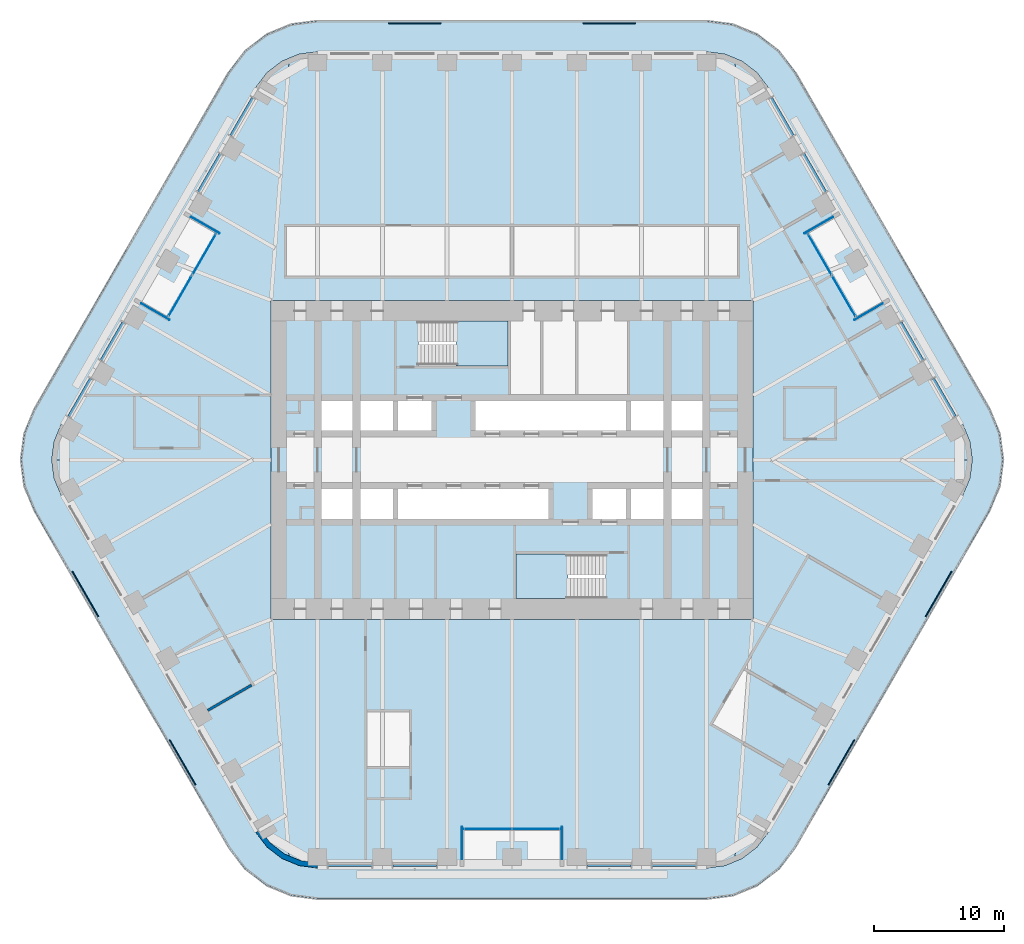
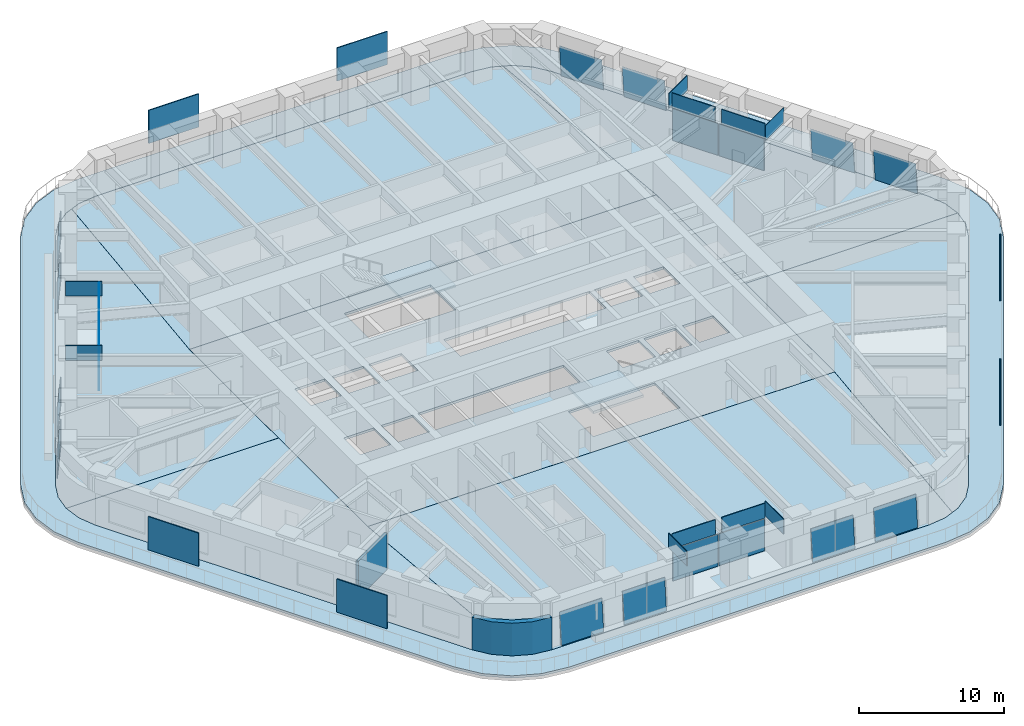
# One storey, part 16 of 24: 36 plates, 10 slabs, 2 walls, 17 elements without a shape of their own.
"""IFC4 building model written with IfcOpenShell, lengths in metres."""

import ifcopenshell
import ifcopenshell.guid

model = None  # the IFC model being written
_history = None  # IfcOwnerHistory: only IFC2X3 demands one
_inside = {}  # id of a spatial element -> (the spatial element, [elements in it])
_under = {}  # id of a project, library or spatial element -> (it, [spatial elements below it])
_declared = {}  # id of a project -> (the project, [libraries it declares])
_typed = {}  # id of a type object -> (the type object, [elements of that type])
_made_of = {}  # id of a material, layer set ... -> (it, [elements and type objects made of it])


def new_model(schema):
    """Start an empty IFC model of exactly this schema.

    Asked for "IFC4X3", IfcOpenShell would pick the latest addendum, in which some entities
    have other attributes; the version numbers below select the first issue.
    IFC2X3 requires an IfcOwnerHistory on every rooted entity: one is made here for all.
    """
    global model, _history
    if schema == "IFC4X3":
        model = ifcopenshell.file(schema_version=(4, 3, 0, 0))
    else:
        model = ifcopenshell.file(schema=schema)
    _inside.clear()
    _under.clear()
    _declared.clear()
    _typed.clear()
    _made_of.clear()
    _history = None
    if model.schema == "IFC2X3":
        org = make("IfcOrganization", Name="unknown")
        user = make(
            "IfcPersonAndOrganization",
            ThePerson=make("IfcPerson", FamilyName="unknown"),
            TheOrganization=org,
        )
        app = make(
            "IfcApplication",
            ApplicationDeveloper=org,
            Version="unknown",
            ApplicationFullName="unknown",
            ApplicationIdentifier="unknown",
        )
        _history = make(
            "IfcOwnerHistory",
            OwningUser=user,
            OwningApplication=app,
            ChangeAction="ADDED",
            CreationDate=0,
        )
    return model


def make(cls, **values):
    """One entity of the class cls with the attributes given. An attribute that is None is left unset."""
    return model.create_entity(
        cls, **{name: value for name, value in values.items() if value is not None}
    )


def rooted(cls, **values):
    """An entity with a GlobalId (a new one), such as an element, a storey or a relation."""
    return make(cls, GlobalId=ifcopenshell.guid.new(), OwnerHistory=_history, **values)


def si_unit(unit_type, name, prefix=None):
    """IfcSIUnit, for example si_unit("LENGTHUNIT", "METRE", prefix="MILLI")."""
    return make("IfcSIUnit", UnitType=unit_type, Prefix=prefix, Name=name)


def assignment(units):
    """IfcUnitAssignment: the units of a project."""
    return None if units is None else make("IfcUnitAssignment", Units=units)


def point(xyz):
    """IfcCartesianPoint."""
    return None if xyz is None else make("IfcCartesianPoint", Coordinates=xyz)


def direction(xyz):
    """IfcDirection."""
    return None if xyz is None else make("IfcDirection", DirectionRatios=xyz)


def frame(location, z_axis=None, x_axis=None):
    """IfcAxis2Placement3D, a coordinate frame: its origin and axes. An axis left out is left unset."""
    return make(
        "IfcAxis2Placement3D",
        Location=point(location),
        Axis=direction(z_axis),
        RefDirection=direction(x_axis),
    )


def frame_2d(location, x_axis=None):
    """IfcAxis2Placement2D, a coordinate frame in the plane: its origin and x axis."""
    return make(
        "IfcAxis2Placement2D", Location=point(location), RefDirection=direction(x_axis)
    )


def origin():
    """The frame at (0, 0, 0) with its axes left unset."""
    return frame((0.0, 0.0, 0.0))


def origin_2d():
    """The frame at (0, 0) in the plane with its x axis left unset."""
    return frame_2d((0.0, 0.0))


def place(relative_to, where):
    """IfcLocalPlacement: puts the frame where relative to a parent placement (None: the world)."""
    return make(
        "IfcLocalPlacement", PlacementRelTo=relative_to, RelativePlacement=where
    )


def context(
    kind, dimensions, precision=None, world=None, true_north=None, identifier=None
):
    """IfcGeometricRepresentationContext, for example the 3D "Model" context."""
    return make(
        "IfcGeometricRepresentationContext",
        ContextIdentifier=identifier,
        ContextType=kind,
        CoordinateSpaceDimension=dimensions,
        Precision=precision,
        WorldCoordinateSystem=world,
        TrueNorth=true_north,
    )


def subcontext(parent, identifier, kind, view, scale=None):
    """IfcGeometricRepresentationSubContext, for example "Body" below "Model"."""
    return make(
        "IfcGeometricRepresentationSubContext",
        ContextIdentifier=identifier,
        ContextType=kind,
        ParentContext=parent,
        TargetScale=scale,
        TargetView=view,
    )


def project(units=None, contexts=None):
    """IfcProject with its units and contexts."""
    return rooted(
        "IfcProject",
        Name="project",
        RepresentationContexts=contexts,
        UnitsInContext=assignment(units),
    )


def spatial(cls, under=None, at=None, **own):
    """A site, building, storey or space (cls), placed at a placement, below another one or the project."""
    s = rooted(cls, ObjectPlacement=at, **own)
    if under is not None:
        _under.setdefault(under.id(), (under, []))[1].append(s)
    return s


def polyline(points):
    """IfcPolyline through the points."""
    return make("IfcPolyline", Points=[point(p) for p in points])


def profile(cls, at=None, kind="AREA", **sizes):
    """A parametric profile (cls). Its sizes go by their IFC names, for example OverallWidth=200.0."""
    return make(cls, ProfileType=kind, Position=at, **sizes)


def rectangle(**sizes):
    """IfcRectangleProfileDef."""
    return profile("IfcRectangleProfileDef", **sizes)


def outline(outer, holes=None, kind="AREA"):
    """IfcArbitraryClosedProfileDef: a profile drawn as a closed curve; with holes, ...WithVoids."""
    if holes is None:
        return make("IfcArbitraryClosedProfileDef", ProfileType=kind, OuterCurve=outer)
    return make(
        "IfcArbitraryProfileDefWithVoids",
        ProfileType=kind,
        OuterCurve=outer,
        InnerCurves=holes,
    )


def extrude(swept, where, along, depth):
    """IfcExtrudedAreaSolid: the profile swept, set in the frame where, extruded along a direction by depth."""
    return make(
        "IfcExtrudedAreaSolid",
        SweptArea=swept,
        Position=where,
        ExtrudedDirection=direction(along),
        Depth=depth,
    )


def shape(context_of_items, identifier, shape_type, items):
    """IfcShapeRepresentation: the items that make up one representation, for example the "Body"."""
    return make(
        "IfcShapeRepresentation",
        ContextOfItems=context_of_items,
        RepresentationIdentifier=identifier,
        RepresentationType=shape_type,
        Items=items,
    )


def material(Name=None, Category=None):
    """IfcMaterial."""
    return make("IfcMaterial", Name=Name, Category=Category)


def layer(
    of_material, thickness, ventilated=None, Name=None, Category=None, Priority=None
):
    """IfcMaterialLayer: one layer of a wall or slab, of a material (None: an air gap)."""
    return make(
        "IfcMaterialLayer",
        Material=of_material,
        LayerThickness=thickness,
        IsVentilated=ventilated,
        Name=Name,
        Category=Category,
        Priority=Priority,
    )


def layer_set(layers, Name=None):
    """IfcMaterialLayerSet."""
    return make("IfcMaterialLayerSet", MaterialLayers=layers, LayerSetName=Name)


def made_of(thing, what):
    """Note that an element or type object is made of a material, layer set ...; save() writes the relation."""
    if what is not None:
        _made_of.setdefault(what.id(), (what, []))[1].append(thing)
    return thing


def type_object(cls, material=None, **own):
    """A type object (cls), such as IfcWallType, which elements share."""
    return made_of(rooted(cls, **own), material)


def element(
    cls,
    number,
    at=None,
    inside=None,
    cuts=None,
    type_object=None,
    material=None,
    context=None,
    identifier="Body",
    shape_type=None,
    held_by="IfcProductDefinitionShape",
    body=None,
    shapes=None,
    **own,
):
    """One element of the class cls, such as IfcWall. Its Tag is "e" and its number.

    at: its placement. inside: the storey or other place that contains it. cuts: it is an
    opening in that element (IfcRelVoidsElement). A single representation is given by context,
    identifier, shape_type and body (its items); several are given by shapes. held_by: the class
    of the entity that holds the representations. save() writes the other relations.
    """
    e = rooted(cls, Tag="e%d" % number, ObjectPlacement=at, **own)
    if body is not None:
        shapes = [shape(context, identifier, shape_type, body)]
    if shapes is not None:
        e.Representation = make(held_by, Representations=shapes)
    if inside is not None:
        _inside.setdefault(inside.id(), (inside, []))[1].append(e)
    if cuts is not None:
        rooted(
            "IfcRelVoidsElement", RelatingBuildingElement=cuts, RelatedOpeningElement=e
        )
    if type_object is not None:
        _typed.setdefault(type_object.id(), (type_object, []))[1].append(e)
    return made_of(e, material)


def aggregate(whole, parts):
    """IfcRelAggregates: a whole, such as a stair, and the parts it consists of."""
    return rooted("IfcRelAggregates", RelatingObject=whole, RelatedObjects=parts)


def save(model, path):
    """Write the relations noted so far, then the file.

    IfcRelAggregates (storeys below a building ...), IfcRelContainedInSpatialStructure (elements
    in a storey), IfcRelDefinesByType, IfcRelAssociatesMaterial and IfcRelDeclares: one each for
    every whole, place, type object, material and project.
    """
    for whole, parts in _under.values():
        aggregate(whole, parts)
    for where, things in _inside.values():
        rooted(
            "IfcRelContainedInSpatialStructure",
            RelatedElements=things,
            RelatingStructure=where,
        )
    for kind, things in _typed.values():
        rooted("IfcRelDefinesByType", RelatedObjects=things, RelatingType=kind)
    for what, things in _made_of.values():
        rooted("IfcRelAssociatesMaterial", RelatedObjects=things, RelatingMaterial=what)
    for by, libraries in _declared.values():
        rooted("IfcRelDeclares", RelatingContext=by, RelatedDefinitions=libraries)
    model.write(path)


model = new_model("IFC4")

# Units and contexts
model_context = context("Model", 3, precision=1e-05, world=origin(), true_north=direction((0.0, 1.0)))
body_context = subcontext(model_context, "Body", "Model", "MODEL_VIEW")
ifc_project = project(units=[si_unit("LENGTHUNIT", "METRE"), si_unit("AREAUNIT", "SQUARE_METRE"), si_unit("VOLUMEUNIT", "CUBIC_METRE"), si_unit("PLANEANGLEUNIT", "RADIAN"), si_unit("MASSUNIT", "GRAM", prefix="KILO")], contexts=[model_context])

# Site, building, storey
site_placement = place(None, origin())
site = spatial("IfcSite", under=ifc_project, at=site_placement, CompositionType="ELEMENT")
building_placement = place(site_placement, origin())
building = spatial("IfcBuilding", under=site, at=building_placement, Name="Tarfa Lantern Tower", CompositionType="ELEMENT")
storey_placement = place(building_placement, frame((0.0, 0.0, 186.699951171875)))
storey = spatial("IfcBuildingStorey", under=building, at=storey_placement, Name="L42", CompositionType="ELEMENT", Elevation=186.699951171875)

# Slab
ifc_material_1 = material(Name="Concrete C40/50", Category="concrete")
ifc_layer_1 = layer(ifc_material_1, 0.199951171875)
ifc_layer_set_1 = layer_set([ifc_layer_1], Name="BS2 BALCONY SLAB 200")
slab_type_1 = type_object("IfcSlabType", Name="BS2 BALCONY SLAB 200", PredefinedType="FLOOR", material=ifc_layer_set_1)
slab_1_placement = place(storey_placement, frame((0.0, 0.0, -0.199951171875)))
element("IfcSlab", 1, at=slab_1_placement, inside=storey, type_object=slab_type_1, Name="Balcony L42", PredefinedType="FLOOR", context=body_context, shape_type="SweptSolid", body=[
    extrude(outline(polyline([(36.86376953125, 3.949951171875), (21.852783203125, 29.949951171875), (20.59716796875, 31.586181640625), (18.961181640625, 32.841552734375), (17.0556640625, 33.630859375), (15.010986328125, 33.89990234375), (-15.010986328125, 33.89990234375), (-17.0556640625, 33.630859375), (-18.961181640625, 32.841552734375), (-20.59716796875, 31.586181640625), (-21.852783203125, 29.949951171875), (-36.86376953125, 3.949951171875), (-37.653076171875, 2.044677734375), (-37.922119140625, 0.0), (-37.653076171875, -2.044677734375), (-36.86376953125, -3.949951171875), (-21.852783203125, -29.949951171875), (-20.59716796875, -31.586181640625), (-18.961181640625, -32.841552734375), (-17.0556640625, -33.630859375), (-15.010986328125, -33.89990234375), (15.010986328125, -33.89990234375), (17.0556640625, -33.630859375), (18.961181640625, -32.841552734375), (20.59716796875, -31.586181640625), (21.852783203125, -29.949951171875), (36.86376953125, -3.949951171875), (37.653076171875, -2.044677734375), (37.922119140625, 0.0), (37.653076171875, 2.044677734375), (36.86376953125, 3.949951171875)]), holes=[polyline([(34.785400390625, 2.75), (19.774169921875, 28.75), (18.900146484375, 29.88916015625), (17.760986328125, 30.76318359375), (16.4345703125, 31.3125), (15.010986328125, 31.5), (-15.010986328125, 31.5), (-16.4345703125, 31.3125), (-17.760986328125, 30.76318359375), (-18.900146484375, 29.88916015625), (-19.774169921875, 28.75), (-34.785400390625, 2.75), (-35.334716796875, 1.423583984375), (-35.522216796875, 0.0), (-35.334716796875, -1.423583984375), (-34.785400390625, -2.75), (-19.774169921875, -28.75), (-18.900146484375, -29.88916015625), (-17.760986328125, -30.76318359375), (-16.4345703125, -31.3125), (-15.010986328125, -31.5), (15.010986328125, -31.5), (16.4345703125, -31.3125), (17.760986328125, -30.76318359375), (18.900146484375, -29.88916015625), (19.774169921875, -28.75), (34.785400390625, -2.75), (35.334716796875, -1.423583984375), (35.522216796875, 0.0), (35.334716796875, 1.423583984375), (34.785400390625, 2.75)])]), origin(), (0.0, 0.0, 1.0), 0.199951171875),
])

# Curtain wall, plate
ifc_material_2 = material(Name="Aluminium framed curtain wall", Category="aluminium")
curtain_wall_type_1 = type_object("IfcCurtainWallType", Name="CW2 CANTED GLAZING MID ZONE 2750", PredefinedType="USERDEFINED", material=ifc_material_2)
curtain_wall_1_placement = place(storey_placement, origin())
curtain_wall_1 = element("IfcCurtainWall", 2, at=curtain_wall_1_placement, inside=storey, type_object=curtain_wall_type_1, Name="CW2 NE L42", ObjectType="CURTAIN WALL", PredefinedType="USERDEFINED")
ifc_material_3 = material(Name="Laminated double glazing", Category="glass")
ifc_layer_2 = layer(ifc_material_3, 0.028076171875)
ifc_layer_set_2 = layer_set([ifc_layer_2], Name="CWP1 DOUBLE GLAZED PANEL")
plate_type_1 = type_object("IfcPlateType", Name="CWP1 DOUBLE GLAZED PANEL", PredefinedType="CURTAIN_PANEL", material=ifc_layer_set_2)
plate_1_placement = place(storey_placement, frame((34.291259765625, 3.40576171875, 0.0), z_axis=(0.862490403653, 0.497906600839, 0.090550099107), x_axis=(-0.499960487749, 0.866048214992, 0.0)))
plate_1 = element("IfcPlate", 3, at=plate_1_placement, type_object=plate_type_1, Name="CW2 panel 1.1", PredefinedType="CURTAIN_PANEL", context=body_context, shape_type="SweptSolid", body=[
    extrude(outline(polyline([(0.0, 0.0), (3.373801769256558, 0.0), (3.373787529728875, 2.6961345800680987), (-1.4239527682619046e-05, 2.6961345800680987), (0.0, 0.0)])), origin(), (0.0, 0.0, -1.0), 0.028076171875),
])
aggregate(curtain_wall_1, [plate_1])

curtain_wall_2_placement = place(storey_placement, origin())
curtain_wall_2 = element("IfcCurtainWall", 4, at=curtain_wall_2_placement, inside=storey, type_object=curtain_wall_type_1, Name="CW2 NE L42", ObjectType="CURTAIN WALL", PredefinedType="USERDEFINED")
plate_2_placement = place(storey_placement, frame((31.789306640625, 7.7392578125, 0.0), z_axis=(0.86245984588, 0.497966600243, 0.090511210832), x_axis=(-0.500018737427, 0.866014585451, -2.824613e-06)))
plate_2 = element("IfcPlate", 5, at=plate_2_placement, type_object=plate_type_1, Name="CW2 panel 1.1", PredefinedType="CURTAIN_PANEL", context=body_context, shape_type="SweptSolid", body=[
    extrude(outline(polyline([(0.0, 0.0), (3.3735903322694574, -2.7755575615628914e-17), (3.373584929142382, 2.6961345780447465), (-0.00012747801414286628, 2.696115440975584), (0.0, 0.0)])), origin(), (0.0, 0.0, -1.0), 0.028076171875),
])
aggregate(curtain_wall_2, [plate_2])

curtain_wall_3_placement = place(storey_placement, origin())
curtain_wall_3 = element("IfcCurtainWall", 6, at=curtain_wall_3_placement, inside=storey, type_object=curtain_wall_type_1, Name="CW2 NEB L42", ObjectType="CURTAIN WALL", PredefinedType="USERDEFINED")
plate_3_placement = place(storey_placement, frame((24.283935546875, 20.7392578125, 0.0), z_axis=(0.862441180369, 0.497991857304, 0.090550099186), x_axis=(-0.500046095904, 0.865998788666, 0.0)))
plate_3 = element("IfcPlate", 7, at=plate_3_placement, type_object=plate_type_1, Name="CW2 panel 1.1", PredefinedType="CURTAIN_PANEL", context=body_context, shape_type="SweptSolid", body=[
    extrude(outline(polyline([(0.0, 0.0), (3.373712408853507, 2.7755575615628914e-17), (3.373722302583923, 2.696134580087549), (9.893730415961136e-06, 2.696134580087549), (0.0, 0.0)])), origin(), (0.0, 0.0, -1.0), 0.028076171875),
])
aggregate(curtain_wall_3, [plate_3])

curtain_wall_4_placement = place(storey_placement, origin())
curtain_wall_4 = element("IfcCurtainWall", 8, at=curtain_wall_4_placement, inside=storey, type_object=curtain_wall_type_1, Name="CW2 NEB L42", ObjectType="CURTAIN WALL", PredefinedType="USERDEFINED")
plate_4_placement = place(storey_placement, frame((21.781982421875, 25.072509765625, 0.0), z_axis=(0.862472388202, 0.497937806475, 0.090550099238), x_axis=(-0.499991822116, 0.866030125237, 0.0)))
plate_4 = element("IfcPlate", 9, at=plate_4_placement, type_object=plate_type_1, Name="CW2 panel 1.1", PredefinedType="CURTAIN_PANEL", context=body_context, shape_type="SweptSolid", body=[
    extrude(outline(polyline([(0.0, 0.0), (3.3735903339122224, 2.7755575615628914e-17), (3.3735849274996186, 2.6961345801002814), (-5.40641260378432e-06, 2.6961345801002814), (0.0, 0.0)])), origin(), (0.0, 0.0, -1.0), 0.028076171875),
])
aggregate(curtain_wall_4, [plate_4])

# Curtain wall, plates
curtain_wall_type_2 = type_object("IfcCurtainWallType", Name="CW10 LOGGIA GLAZING 2750", PredefinedType="USERDEFINED", material=ifc_material_2)
curtain_wall_5_placement = place(storey_placement, origin())
curtain_wall_5 = element("IfcCurtainWall", 10, at=curtain_wall_5_placement, inside=storey, type_object=curtain_wall_type_2, Name="CW10 NEL L42", ObjectType="CURTAIN WALL", PredefinedType="USERDEFINED")
plate_5_placement = place(storey_placement, frame((25.599609375, 12.660400390625, 0.0), z_axis=(0.0, 0.0, 1.0), x_axis=(-0.5, 0.866025403784, 0.0)))
plate_5 = element("IfcPlate", 11, at=plate_5_placement, type_object=plate_type_1, Name="CW10 panel 1.1", PredefinedType="CURTAIN_PANEL", context=body_context, shape_type="SweptSolid", body=[
    extrude(rectangle(XDim=3.606201171875, YDim=0.028076171875, at=origin_2d()), origin(), (0.0, 0.0, 1.0), 2.68505859375),
])
plate_6_placement = place(storey_placement, frame((23.763916015625, 15.839599609375, 0.0), z_axis=(0.0, 0.0, 1.0), x_axis=(-0.5, 0.866025403784, 0.0)))
plate_6 = element("IfcPlate", 12, at=plate_6_placement, type_object=plate_type_1, Name="CW10 panel 2.1", PredefinedType="CURTAIN_PANEL", context=body_context, shape_type="SweptSolid", body=[
    extrude(rectangle(XDim=3.606201171875, YDim=0.028076171875, at=origin_2d()), origin(), (0.0, 0.0, 1.0), 2.68505859375),
])
aggregate(curtain_wall_5, [plate_5, plate_6])

# Curtain wall, plate
curtain_wall_6_placement = place(storey_placement, origin())
curtain_wall_6 = element("IfcCurtainWall", 13, at=curtain_wall_6_placement, inside=storey, type_object=curtain_wall_type_1, Name="CW2 NW L42", ObjectType="CURTAIN WALL", PredefinedType="USERDEFINED")
plate_7_placement = place(storey_placement, frame((-20.09521484375, 27.994140625, 0.0), z_axis=(-0.862472388202, 0.497937806475, 0.090550099238), x_axis=(-0.499991822116, -0.866030125237, 0.0)))
plate_7 = element("IfcPlate", 14, at=plate_7_placement, type_object=plate_type_1, Name="CW2 panel 1.1", PredefinedType="CURTAIN_PANEL", context=body_context, shape_type="SweptSolid", body=[
    extrude(outline(polyline([(0.0, 0.0), (3.3735903339122224, -2.7755575615628914e-17), (3.3735957403248262, 2.6961345801002814), (5.40641260378432e-06, 2.6961345801002814), (0.0, 0.0)])), origin(), (0.0, 0.0, -1.0), 0.028076171875),
])
aggregate(curtain_wall_6, [plate_7])

curtain_wall_7_placement = place(storey_placement, origin())
curtain_wall_7 = element("IfcCurtainWall", 15, at=curtain_wall_7_placement, inside=storey, type_object=curtain_wall_type_1, Name="CW2 NW L42", ObjectType="CURTAIN WALL", PredefinedType="USERDEFINED")
plate_8_placement = place(storey_placement, frame((-22.596923828125, 23.660888671875, 0.0), z_axis=(-0.862441180369, 0.497991857304, 0.090550099186), x_axis=(-0.500046095904, -0.865998788666, 0.0)))
plate_8 = element("IfcPlate", 16, at=plate_8_placement, type_object=plate_type_1, Name="CW2 panel 1.1", PredefinedType="CURTAIN_PANEL", context=body_context, shape_type="SweptSolid", body=[
    extrude(outline(polyline([(0.0, 0.0), (3.373712408853507, -2.7755575615628914e-17), (3.3737025151230906, 2.696134580087549), (-9.893730415961136e-06, 2.696134580087549), (0.0, 0.0)])), origin(), (0.0, 0.0, -1.0), 0.028076171875),
])
aggregate(curtain_wall_7, [plate_8])

curtain_wall_8_placement = place(storey_placement, origin())
curtain_wall_8 = element("IfcCurtainWall", 17, at=curtain_wall_8_placement, inside=storey, type_object=curtain_wall_type_1, Name="CW2 NWB L42", ObjectType="CURTAIN WALL", PredefinedType="USERDEFINED")
plate_9_placement = place(storey_placement, frame((-30.1025390625, 10.660888671875, 0.0), z_axis=(-0.86245984588, 0.497966600243, 0.090511210832), x_axis=(-0.500018737427, -0.866014585451, 2.824613e-06)))
plate_9 = element("IfcPlate", 18, at=plate_9_placement, type_object=plate_type_1, Name="CW2 panel 1.1", PredefinedType="CURTAIN_PANEL", context=body_context, shape_type="SweptSolid", body=[
    extrude(outline(polyline([(0.0, 0.0), (3.3735903322694574, 2.7755575615628914e-17), (3.3737178102836, 2.696115440975584), (5.4031270756551335e-06, 2.6961345780447465), (0.0, 0.0)])), origin(), (0.0, 0.0, -1.0), 0.028076171875),
])
aggregate(curtain_wall_8, [plate_9])

curtain_wall_9_placement = place(storey_placement, origin())
curtain_wall_9 = element("IfcCurtainWall", 19, at=curtain_wall_9_placement, inside=storey, type_object=curtain_wall_type_1, Name="CW2 NWB L42", ObjectType="CURTAIN WALL", PredefinedType="USERDEFINED")
plate_10_placement = place(storey_placement, frame((-32.6044921875, 6.32763671875, 0.0), z_axis=(-0.862490403653, 0.497906600839, 0.090550099107), x_axis=(-0.499960487749, -0.866048214992, 0.0)))
plate_10 = element("IfcPlate", 20, at=plate_10_placement, type_object=plate_type_1, Name="CW2 panel 1.1", PredefinedType="CURTAIN_PANEL", context=body_context, shape_type="SweptSolid", body=[
    extrude(outline(polyline([(0.0, 0.0), (3.373801769256558, 0.0), (3.37381600878424, 2.6961345800680987), (1.4239527682619046e-05, 2.6961345800680987), (0.0, 0.0)])), origin(), (0.0, 0.0, -1.0), 0.028076171875),
])
aggregate(curtain_wall_9, [plate_10])

# Curtain wall, plates
curtain_wall_10_placement = place(storey_placement, origin())
curtain_wall_10 = element("IfcCurtainWall", 21, at=curtain_wall_10_placement, inside=storey, type_object=curtain_wall_type_2, Name="CW10 NWL L42", ObjectType="CURTAIN WALL", PredefinedType="USERDEFINED")
plate_11_placement = place(storey_placement, frame((-23.763916015625, 15.839599609375, 0.0), z_axis=(0.0, 0.0, 1.0), x_axis=(-0.5, -0.866025403784, 0.0)))
plate_11 = element("IfcPlate", 22, at=plate_11_placement, type_object=plate_type_1, Name="CW10 panel 1.1", PredefinedType="CURTAIN_PANEL", context=body_context, shape_type="SweptSolid", body=[
    extrude(rectangle(XDim=3.606201171875, YDim=0.028076171875, at=origin_2d()), origin(), (0.0, 0.0, 1.0), 2.68505859375),
])
plate_12_placement = place(storey_placement, frame((-25.599609375, 12.660400390625, 0.0), z_axis=(0.0, 0.0, 1.0), x_axis=(-0.5, -0.866025403784, 0.0)))
plate_12 = element("IfcPlate", 23, at=plate_12_placement, type_object=plate_type_1, Name="CW10 panel 2.1", PredefinedType="CURTAIN_PANEL", context=body_context, shape_type="SweptSolid", body=[
    extrude(rectangle(XDim=3.606201171875, YDim=0.028076171875, at=origin_2d()), origin(), (0.0, 0.0, 1.0), 2.68505859375),
])
aggregate(curtain_wall_10, [plate_11, plate_12])

# Curtain wall, plate
curtain_wall_11_placement = place(storey_placement, origin())
curtain_wall_11 = element("IfcCurtainWall", 24, at=curtain_wall_11_placement, inside=storey, type_object=curtain_wall_type_1, Name="CW2 S L42", ObjectType="CURTAIN WALL", PredefinedType="USERDEFINED")
plate_13_placement = place(storey_placement, frame((-14.196044921875, -31.39990234375, 0.0), z_axis=(0.0, -0.995899883883, 0.090462264412), x_axis=(1.0, 0.0, 0.0)))
plate_13 = element("IfcPlate", 25, at=plate_13_placement, type_object=plate_type_1, Name="CW2 panel 1.1", PredefinedType="CURTAIN_PANEL", context=body_context, shape_type="SweptSolid", body=[
    extrude(outline(polyline([(0.0, 0.0), (3.37353515625, 0.0), (3.37353515625, 2.696112969992395), (0.0, 2.696112969992395), (0.0, 0.0)])), origin(), (0.0, 0.0, -1.0), 0.028076171875),
])
aggregate(curtain_wall_11, [plate_13])

curtain_wall_12_placement = place(storey_placement, origin())
curtain_wall_12 = element("IfcCurtainWall", 26, at=curtain_wall_12_placement, inside=storey, type_object=curtain_wall_type_1, Name="CW2 S L42", ObjectType="CURTAIN WALL", PredefinedType="USERDEFINED")
plate_14_placement = place(storey_placement, frame((-9.1923828125, -31.39990234375, 0.0), z_axis=(0.0, -0.995899883883, 0.090462264412), x_axis=(1.0, 0.0, 0.0)))
plate_14 = element("IfcPlate", 27, at=plate_14_placement, type_object=plate_type_1, Name="CW2 panel 1.1", PredefinedType="CURTAIN_PANEL", context=body_context, shape_type="SweptSolid", body=[
    extrude(outline(polyline([(0.0, 0.0), (3.373779296875, 0.0), (3.373779296875, 2.696112969992395), (0.0, 2.696112969992395), (0.0, 0.0)])), origin(), (0.0, 0.0, -1.0), 0.028076171875),
])
aggregate(curtain_wall_12, [plate_14])

curtain_wall_13_placement = place(storey_placement, origin())
curtain_wall_13 = element("IfcCurtainWall", 28, at=curtain_wall_13_placement, inside=storey, type_object=curtain_wall_type_1, Name="CW2 SB L42", ObjectType="CURTAIN WALL", PredefinedType="USERDEFINED")
plate_15_placement = place(storey_placement, frame((5.818603515625, -31.39990234375, 0.0), z_axis=(0.0, -0.995899883883, 0.090462264412), x_axis=(1.0, 0.0, 0.0)))
plate_15 = element("IfcPlate", 29, at=plate_15_placement, type_object=plate_type_1, Name="CW2 panel 1.1", PredefinedType="CURTAIN_PANEL", context=body_context, shape_type="SweptSolid", body=[
    extrude(outline(polyline([(0.0, 0.0), (3.373779296875, 0.0), (3.373779296875, 2.696112969992395), (0.0, 2.696112969992395), (0.0, 0.0)])), origin(), (0.0, 0.0, -1.0), 0.028076171875),
])
aggregate(curtain_wall_13, [plate_15])

curtain_wall_14_placement = place(storey_placement, origin())
curtain_wall_14 = element("IfcCurtainWall", 30, at=curtain_wall_14_placement, inside=storey, type_object=curtain_wall_type_1, Name="CW2 SB L42", ObjectType="CURTAIN WALL", PredefinedType="USERDEFINED")
plate_16_placement = place(storey_placement, frame((10.822509765625, -31.39990234375, 0.0), z_axis=(0.0, -0.995899883883, 0.090462264412), x_axis=(1.0, 0.0, 0.0)))
plate_16 = element("IfcPlate", 31, at=plate_16_placement, type_object=plate_type_1, Name="CW2 panel 1.1", PredefinedType="CURTAIN_PANEL", context=body_context, shape_type="SweptSolid", body=[
    extrude(outline(polyline([(0.0, 0.0), (3.37353515625, 0.0), (3.37353515625, 2.696112969992395), (0.0, 2.696112969992395), (0.0, 0.0)])), origin(), (0.0, 0.0, -1.0), 0.028076171875),
])
aggregate(curtain_wall_14, [plate_16])

# Curtain wall, plates
curtain_wall_15_placement = place(storey_placement, origin())
curtain_wall_15 = element("IfcCurtainWall", 32, at=curtain_wall_15_placement, inside=storey, type_object=curtain_wall_type_2, Name="CW10 SL L42", ObjectType="CURTAIN WALL", PredefinedType="USERDEFINED")
plate_17_placement = place(storey_placement, frame((-1.835693359375, -28.5, 0.0), z_axis=(0.0, 0.0, 1.0), x_axis=(1.0, 0.0, 0.0)))
plate_17 = element("IfcPlate", 33, at=plate_17_placement, type_object=plate_type_1, Name="CW10 panel 1.1", PredefinedType="CURTAIN_PANEL", context=body_context, shape_type="SweptSolid", body=[
    extrude(rectangle(XDim=3.606201171875, YDim=0.028076171875, at=origin_2d()), origin(), (0.0, 0.0, 1.0), 2.68505859375),
])
plate_18_placement = place(storey_placement, frame((1.835693359375, -28.5, 0.0), z_axis=(0.0, 0.0, 1.0), x_axis=(1.0, 0.0, 0.0)))
plate_18 = element("IfcPlate", 34, at=plate_18_placement, type_object=plate_type_1, Name="CW10 panel 2.1", PredefinedType="CURTAIN_PANEL", context=body_context, shape_type="SweptSolid", body=[
    extrude(rectangle(XDim=3.606201171875, YDim=0.028076171875, at=origin_2d()), origin(), (0.0, 0.0, 1.0), 2.68505859375),
])
aggregate(curtain_wall_15, [plate_17, plate_18])

# Slabs
ifc_layer_3 = layer(ifc_material_1, 0.199951171875)
ifc_layer_set_3 = layer_set([ifc_layer_3], Name="FS1 FLOOR SLAB 200")
slab_type_2 = type_object("IfcSlabType", Name="FS1 FLOOR SLAB 200", PredefinedType="FLOOR", material=ifc_layer_set_3)
slab_2_placement = place(storey_placement, frame((0.0, 0.0, -0.199951171875)))
element("IfcSlab", 35, at=slab_2_placement, inside=storey, type_object=slab_type_2, Name="Floor slab L42", PredefinedType="FLOOR", context=body_context, shape_type="SweptSolid", body=[
    extrude(outline(polyline([(-18.60009765625, -12.300048828125), (18.60009765625, -12.300048828125), (18.60009765625, 12.300048828125), (-18.60009765625, 12.300048828125), (-18.60009765625, -12.300048828125)]), holes=[polyline([(-14.699951171875, 2.25), (-12.300048828125, 2.25), (-12.300048828125, 4.550048828125), (-14.699951171875, 4.550048828125), (-14.699951171875, 2.25)]), polyline([(-11.699951171875, 2.25), (-9.199951171875, 2.25), (-9.199951171875, 4.550048828125), (-11.699951171875, 4.550048828125), (-11.699951171875, 2.25)]), polyline([(-8.800048828125, 2.25), (-6.199951171875, 2.25), (-6.199951171875, 4.550048828125), (-8.800048828125, 4.550048828125), (-8.800048828125, 2.25)]), polyline([(-2.800048828125, 2.25), (8.800048828125, 2.25), (8.800048828125, 4.550048828125), (-2.800048828125, 4.550048828125), (-2.800048828125, 2.25)]), polyline([(9.199951171875, 2.25), (11.699951171875, 2.25), (11.699951171875, 4.550048828125), (9.199951171875, 4.550048828125), (9.199951171875, 2.25)]), polyline([(12.300048828125, 2.25), (14.699951171875, 2.25), (14.699951171875, 4.550048828125), (12.300048828125, 4.550048828125), (12.300048828125, 2.25)]), polyline([(14.699951171875, -2.25), (12.300048828125, -2.25), (12.300048828125, -4.550048828125), (14.699951171875, -4.550048828125), (14.699951171875, -2.25)]), polyline([(11.699951171875, -2.25), (9.199951171875, -2.25), (9.199951171875, -4.550048828125), (11.699951171875, -4.550048828125), (11.699951171875, -2.25)]), polyline([(8.800048828125, -2.25), (6.199951171875, -2.25), (6.199951171875, -4.550048828125), (8.800048828125, -4.550048828125), (8.800048828125, -2.25)]), polyline([(2.800048828125, -2.25), (-8.800048828125, -2.25), (-8.800048828125, -4.550048828125), (2.800048828125, -4.550048828125), (2.800048828125, -2.25)]), polyline([(-9.199951171875, -2.25), (-11.699951171875, -2.25), (-11.699951171875, -4.550048828125), (-9.199951171875, -4.550048828125), (-9.199951171875, -2.25)]), polyline([(-12.300048828125, -2.25), (-14.699951171875, -2.25), (-14.699951171875, -4.550048828125), (-12.300048828125, -4.550048828125), (-12.300048828125, -2.25)]), polyline([(-7.199951171875, 7.25), (-0.300048828125, 7.25), (-0.300048828125, 10.699951171875), (-7.199951171875, 10.699951171875), (-7.199951171875, 7.25)]), polyline([(7.199951171875, -7.25), (0.300048828125, -7.25), (0.300048828125, -10.699951171875), (7.199951171875, -10.699951171875), (7.199951171875, -7.25)])]), origin(), (0.0, 0.0, 1.0), 0.199951171875),
])
slab_3_placement = place(storey_placement, frame((0.0, 0.0, -0.199951171875)))
element("IfcSlab", 36, at=slab_3_placement, inside=storey, type_object=slab_type_2, Name="Floor slab L42 NE bay", PredefinedType="FLOOR", context=body_context, shape_type="SweptSolid", body=[
    extrude(outline(polyline([(34.783447265625, 2.7490234375), (19.7724609375, 28.748779296875), (18.898681640625, 29.8876953125), (17.760009765625, 30.761474609375), (17.19189453125, 30.996826171875), (18.60205078125, 12.300048828125), (18.60205078125, 0.001953125), (35.52001953125, 0.001953125), (35.332763671875, 1.423095703125), (34.783447265625, 2.7490234375)])), origin(), (0.0, 0.0, 1.0), 0.199951171875),
])
slab_4_placement = place(storey_placement, frame((0.0, 0.0, -0.199951171875)))
element("IfcSlab", 37, at=slab_4_placement, inside=storey, type_object=slab_type_2, Name="Floor slab L42 N bay", PredefinedType="FLOOR", context=body_context, shape_type="SweptSolid", body=[
    extrude(outline(polyline([(-18.597900390625, 12.302001953125), (18.597900390625, 12.302001953125), (17.187744140625, 30.99853515625), (16.43408203125, 31.310546875), (15.010986328125, 31.498046875), (-15.010986328125, 31.498046875), (-16.43408203125, 31.310546875), (-17.187744140625, 30.99853515625), (-18.597900390625, 12.302001953125)])), origin(), (0.0, 0.0, 1.0), 0.199951171875),
])
slab_5_placement = place(storey_placement, frame((0.0, 0.0, -0.199951171875)))
element("IfcSlab", 38, at=slab_5_placement, inside=storey, type_object=slab_type_2, Name="Floor slab L42 NW bay", PredefinedType="FLOOR", context=body_context, shape_type="SweptSolid", body=[
    extrude(outline(polyline([(-18.60205078125, 0.001953125), (-18.60205078125, 12.300048828125), (-17.19189453125, 30.996826171875), (-17.760009765625, 30.761474609375), (-18.898681640625, 29.8876953125), (-19.7724609375, 28.748779296875), (-34.783447265625, 2.7490234375), (-35.332763671875, 1.423095703125), (-35.52001953125, 0.001953125), (-18.60205078125, 0.001953125)])), origin(), (0.0, 0.0, 1.0), 0.199951171875),
])
slab_6_placement = place(storey_placement, frame((0.0, 0.0, -0.199951171875)))
element("IfcSlab", 39, at=slab_6_placement, inside=storey, type_object=slab_type_2, Name="Floor slab L42 SW bay", PredefinedType="FLOOR", context=body_context, shape_type="SweptSolid", body=[
    extrude(outline(polyline([(-18.60205078125, -12.300048828125), (-18.60205078125, -0.001953125), (-35.52001953125, -0.001953125), (-35.332763671875, -1.423095703125), (-34.783447265625, -2.7490234375), (-19.7724609375, -28.748779296875), (-18.898681640625, -29.8876953125), (-17.760009765625, -30.761474609375), (-17.19189453125, -30.996826171875), (-18.60205078125, -12.300048828125)])), origin(), (0.0, 0.0, 1.0), 0.199951171875),
])
slab_7_placement = place(storey_placement, frame((0.0, 0.0, -0.199951171875)))
element("IfcSlab", 40, at=slab_7_placement, inside=storey, type_object=slab_type_2, Name="Floor slab L42 S bay", PredefinedType="FLOOR", context=body_context, shape_type="SweptSolid", body=[
    extrude(outline(polyline([(18.597900390625, -12.302001953125), (-18.597900390625, -12.302001953125), (-17.187744140625, -30.99853515625), (-16.43408203125, -31.310546875), (-15.010986328125, -31.498046875), (15.010986328125, -31.498046875), (16.43408203125, -31.310546875), (17.187744140625, -30.99853515625), (18.597900390625, -12.302001953125)])), origin(), (0.0, 0.0, 1.0), 0.199951171875),
])
slab_8_placement = place(storey_placement, frame((0.0, 0.0, -0.199951171875)))
element("IfcSlab", 41, at=slab_8_placement, inside=storey, type_object=slab_type_2, Name="Floor slab L42 SE bay", PredefinedType="FLOOR", context=body_context, shape_type="SweptSolid", body=[
    extrude(outline(polyline([(18.60205078125, -0.001953125), (18.60205078125, -12.300048828125), (17.19189453125, -30.996826171875), (17.760009765625, -30.761474609375), (18.898681640625, -29.8876953125), (19.7724609375, -28.748779296875), (34.783447265625, -2.7490234375), (35.332763671875, -1.423095703125), (35.52001953125, -0.001953125), (18.60205078125, -0.001953125)])), origin(), (0.0, 0.0, 1.0), 0.199951171875),
])

# Plates
ifc_material_4 = material(Name="Aluminium fascia panel", Category="aluminium")
ifc_layer_4 = layer(ifc_material_4, 0.050048828125)
ifc_layer_set_4 = layer_set([ifc_layer_4], Name="LF1 LOGGIA HEAD FASCIA 50")
plate_type_2 = type_object("IfcPlateType", Name="LF1 LOGGIA HEAD FASCIA 50", PredefinedType="USERDEFINED", material=ifc_layer_set_4)
for number, where, z_axis, x_axis, name in (
    (42, (25.670166015625, 12.5380859375, 2.75), (0.0, 0.0, 1.0), (-0.5, 0.866025403784, 0.0), "Loggia head fascia NE"),
    (43, (23.693359375, 15.9619140625, 2.75), (0.0, 0.0, 1.0), (-0.5, 0.866025403784, 0.0), "Loggia head fascia NE"),
):
    element("IfcPlate", number, at=place(storey_placement, frame(where, z_axis=z_axis, x_axis=x_axis)), inside=storey, type_object=plate_type_2, Name=name, ObjectType="FASCIA", PredefinedType="USERDEFINED", context=body_context, shape_type="SweptSolid", body=[
        extrude(rectangle(XDim=3.45361328125, YDim=0.050048828125, at=origin_2d()), origin(), (0.0, 0.0, 1.0), 1.25),
    ])
for number, where, z_axis, x_axis, name in (
    (44, (27.526611328125, 11.442626953125, 2.75), (0.0, 0.0, 1.0), (-0.866025403784, -0.5, 0.0), "Loggia head fascia NE"),
    (45, (23.6728515625, 18.117431640625, 2.75), (0.0, 0.0, 1.0), (-0.866025403784, -0.5, 0.0), "Loggia head fascia NE"),
):
    element("IfcPlate", number, at=place(storey_placement, frame(where, z_axis=z_axis, x_axis=x_axis)), inside=storey, type_object=plate_type_2, Name=name, ObjectType="FASCIA", PredefinedType="USERDEFINED", context=body_context, shape_type="SweptSolid", body=[
        extrude(rectangle(XDim=2.52001953125, YDim=0.050048828125, at=origin_2d()), origin(), (0.0, 0.0, 1.0), 1.25),
    ])
for number, where, z_axis, x_axis, name in (
    (46, (-23.693359375, 15.9619140625, 2.75), (0.0, 0.0, 1.0), (-0.5, -0.866025403784, 0.0), "Loggia head fascia NW"),
    (47, (-25.670166015625, 12.5380859375, 2.75), (0.0, 0.0, 1.0), (-0.5, -0.866025403784, 0.0), "Loggia head fascia NW"),
):
    element("IfcPlate", number, at=place(storey_placement, frame(where, z_axis=z_axis, x_axis=x_axis)), inside=storey, type_object=plate_type_2, Name=name, ObjectType="FASCIA", PredefinedType="USERDEFINED", context=body_context, shape_type="SweptSolid", body=[
        extrude(rectangle(XDim=3.45361328125, YDim=0.050048828125, at=origin_2d()), origin(), (0.0, 0.0, 1.0), 1.25),
    ])
for number, where, z_axis, x_axis, name in (
    (48, (-23.6728515625, 18.117431640625, 2.75), (0.0, 0.0, 1.0), (0.866025403784, -0.5, 0.0), "Loggia head fascia NW"),
    (49, (-27.526611328125, 11.442626953125, 2.75), (0.0, 0.0, 1.0), (0.866025403784, -0.5, 0.0), "Loggia head fascia NW"),
):
    element("IfcPlate", number, at=place(storey_placement, frame(where, z_axis=z_axis, x_axis=x_axis)), inside=storey, type_object=plate_type_2, Name=name, ObjectType="FASCIA", PredefinedType="USERDEFINED", context=body_context, shape_type="SweptSolid", body=[
        extrude(rectangle(XDim=2.52001953125, YDim=0.050048828125, at=origin_2d()), origin(), (0.0, 0.0, 1.0), 1.25),
    ])
for number, where, z_axis, x_axis, name in (
    (50, (-1.976806640625, -28.5, 2.75), (0.0, 0.0, 1.0), (1.0, 0.0, 0.0), "Loggia head fascia S"),
    (51, (1.976806640625, -28.5, 2.75), (0.0, 0.0, 1.0), (1.0, 0.0, 0.0), "Loggia head fascia S"),
):
    element("IfcPlate", number, at=place(storey_placement, frame(where, z_axis=z_axis, x_axis=x_axis)), inside=storey, type_object=plate_type_2, Name=name, ObjectType="FASCIA", PredefinedType="USERDEFINED", context=body_context, shape_type="SweptSolid", body=[
        extrude(rectangle(XDim=3.45361328125, YDim=0.050048828125, at=origin_2d()), origin(), (0.0, 0.0, 1.0), 1.25),
    ])
for number, where, z_axis, x_axis, name in (
    (52, (-3.853759765625, -29.56005859375, 2.75), (0.0, 0.0, 1.0), (0.0, 1.0, 0.0), "Loggia head fascia S"),
    (53, (3.853759765625, -29.56005859375, 2.75), (0.0, 0.0, 1.0), (0.0, 1.0, 0.0), "Loggia head fascia S"),
):
    element("IfcPlate", number, at=place(storey_placement, frame(where, z_axis=z_axis, x_axis=x_axis)), inside=storey, type_object=plate_type_2, Name=name, ObjectType="FASCIA", PredefinedType="USERDEFINED", context=body_context, shape_type="SweptSolid", body=[
        extrude(rectangle(XDim=2.52001953125, YDim=0.050048828125, at=origin_2d()), origin(), (0.0, 0.0, 1.0), 1.25),
    ])
ifc_material_5 = material(Name="Perforated limestone screen", Category="masonry")
ifc_layer_5 = layer(ifc_material_5, 0.080078125)
ifc_layer_set_5 = layer_set([ifc_layer_5], Name="SC1 STONE SCREEN 80")
plate_type_3 = type_object("IfcPlateType", Name="SC1 STONE SCREEN 80", PredefinedType="USERDEFINED", material=ifc_layer_set_5)
for number, where, z_axis, x_axis, name in (
    (54, (7.505615234375, 33.699951171875, 1.2001953125), (0.0, 0.0, 1.0), (-1.0, 0.0, 0.0), "Stone screen N 1"),
    (55, (-7.505615234375, 33.699951171875, 1.2001953125), (0.0, 0.0, 1.0), (-1.0, 0.0, 0.0), "Stone screen N 2"),
    (56, (-32.937744140625, -10.35009765625, 1.2001953125), (0.0, 0.0, 1.0), (0.5, -0.866025403784, 0.0), "Stone screen SW 1"),
    (57, (-25.432373046875, -23.35009765625, 1.2001953125), (0.0, 0.0, 1.0), (0.5, -0.866025403784, 0.0), "Stone screen SW 2"),
    (58, (25.432373046875, -23.35009765625, 1.2001953125), (0.0, 0.0, 1.0), (0.5, 0.866025403784, 0.0), "Stone screen SE 1"),
    (59, (32.937744140625, -10.35009765625, 1.2001953125), (0.0, 0.0, 1.0), (0.5, 0.866025403784, 0.0), "Stone screen SE 2"),
):
    element("IfcPlate", number, at=place(storey_placement, frame(where, z_axis=z_axis, x_axis=x_axis)), inside=storey, type_object=plate_type_3, Name=name, ObjectType="SCREEN", PredefinedType="USERDEFINED", context=body_context, shape_type="SweptSolid", body=[
        extrude(rectangle(XDim=4.0, YDim=0.080078125, at=origin_2d()), origin(), (0.0, 0.0, 1.0), 2.800048828125),
    ])

# Stair, slab
stair_type = type_object("IfcStairType", Name="ST-T10 HALF-TURN STAIR 4200 RISE", PredefinedType="HALF_TURN_STAIR", material=ifc_material_1)
stair_1_placement = place(storey_placement, origin())
stair_1 = element("IfcStair", 60, at=stair_1_placement, inside=storey, type_object=stair_type, Name="Stair ST1", PredefinedType="HALF_TURN_STAIR")
ifc_layer_6 = layer(ifc_material_1, 0.199951171875)
ifc_layer_set_6 = layer_set([ifc_layer_6], Name="SL1 STAIR LANDING 200")
slab_type_3 = type_object("IfcSlabType", Name="SL1 STAIR LANDING 200", PredefinedType="LANDING", material=ifc_layer_set_6)
slab_9_placement = place(storey_placement, frame((0.0, 0.0, 1.900146484375)))
slab_9 = element("IfcSlab", 61, at=slab_9_placement, type_object=slab_type_3, Name="ST1 landing 1", PredefinedType="LANDING", context=body_context, shape_type="SweptSolid", body=[
    extrude(outline(polyline([(-4.320068359375, 7.25), (-0.300048828125, 7.25), (-0.300048828125, 10.699951171875), (-4.320068359375, 10.699951171875), (-4.320068359375, 7.25)])), origin(), (0.0, 0.0, 1.0), 0.199951171875),
])
aggregate(stair_1, [slab_9])

stair_2_placement = place(storey_placement, origin())
stair_2 = element("IfcStair", 62, at=stair_2_placement, inside=storey, type_object=stair_type, Name="Stair ST2", PredefinedType="HALF_TURN_STAIR")
slab_10_placement = place(storey_placement, frame((0.0, 0.0, 1.900146484375)))
slab_10 = element("IfcSlab", 63, at=slab_10_placement, type_object=slab_type_3, Name="ST2 landing 1", PredefinedType="LANDING", context=body_context, shape_type="SweptSolid", body=[
    extrude(outline(polyline([(4.320068359375, -7.25), (0.300048828125, -7.25), (0.300048828125, -10.699951171875), (4.320068359375, -10.699951171875), (4.320068359375, -7.25)])), origin(), (0.0, 0.0, 1.0), 0.199951171875),
])
aggregate(stair_2, [slab_10])

# Walls
ifc_material_6 = material(Name="Limestone cladding on blockwork", Category="masonry")
ifc_layer_7 = layer(ifc_material_6, 0.39990234375)
ifc_layer_set_7 = layer_set([ifc_layer_7], Name="EW2 CURVED STONE CORNER 400")
wall_type_1 = type_object("IfcWallType", Name="EW2 CURVED STONE CORNER 400", PredefinedType="SOLIDWALL", material=ifc_layer_set_7)
wall_1_placement = place(storey_placement, origin())
element("IfcWall", 64, at=wall_1_placement, inside=storey, type_object=wall_type_1, Name="Stone corner SW-S", PredefinedType="SOLIDWALL", context=body_context, shape_type="SweptSolid", body=[
    extrude(outline(polyline([(-19.774169921875, -28.75), (-18.900146484375, -29.88916015625), (-17.760986328125, -30.76318359375), (-16.4345703125, -31.3125), (-15.010986328125, -31.5), (-15.010986328125, -31.10009765625), (-16.3310546875, -30.92626953125), (-17.56103515625, -30.416748046875), (-18.617431640625, -29.606201171875), (-19.427734375, -28.550048828125), (-19.774169921875, -28.75)])), origin(), (0.0, 0.0, 1.0), 2.75),
])
ifc_material_7 = material(Name="Gypsum board on steel studs", Category="steel")
ifc_layer_8 = layer(ifc_material_7, 0.2099609375)
ifc_layer_set_8 = layer_set([ifc_layer_8], Name="IW2 ACOUSTIC PARTITION 200")
wall_type_2 = type_object("IfcWallType", Name="IW2 ACOUSTIC PARTITION 200", PredefinedType="PARTITIONING", material=ifc_layer_set_8)
wall_2_placement = place(storey_placement, frame((-20.101318359375, -17.38330078125, 0.0), z_axis=(0.0, 0.0, 1.0), x_axis=(-0.866042777325, -0.499969906938, 0.0)))
element("IfcWall", 65, at=wall_2_placement, inside=storey, type_object=wall_type_2, Name="Partition", PredefinedType="PARTITIONING", context=body_context, shape_type="SweptSolid", body=[
    extrude(rectangle(XDim=3.900146484375, YDim=0.199951171875, at=frame_2d((1.9501953125, 0.0))), origin(), (0.0, 0.0, 1.0), 3.08154296875),
])

save(model, "model.ifc")
